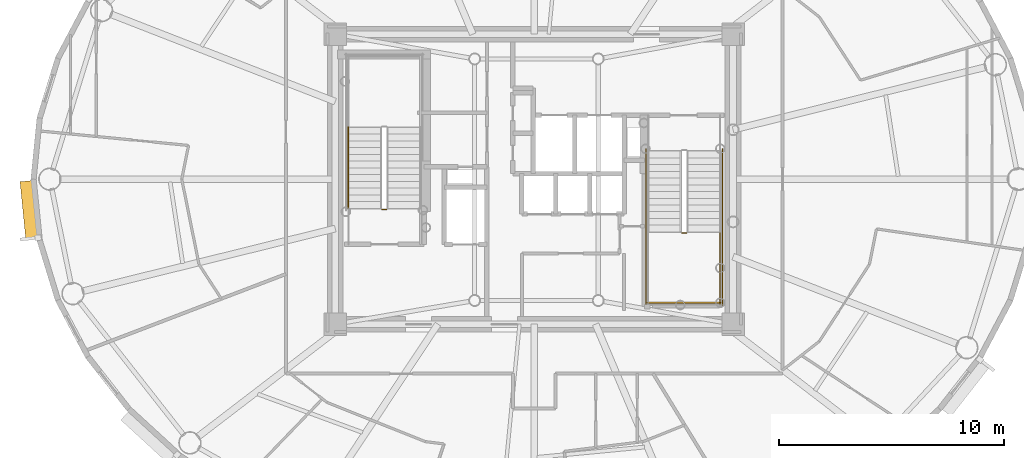
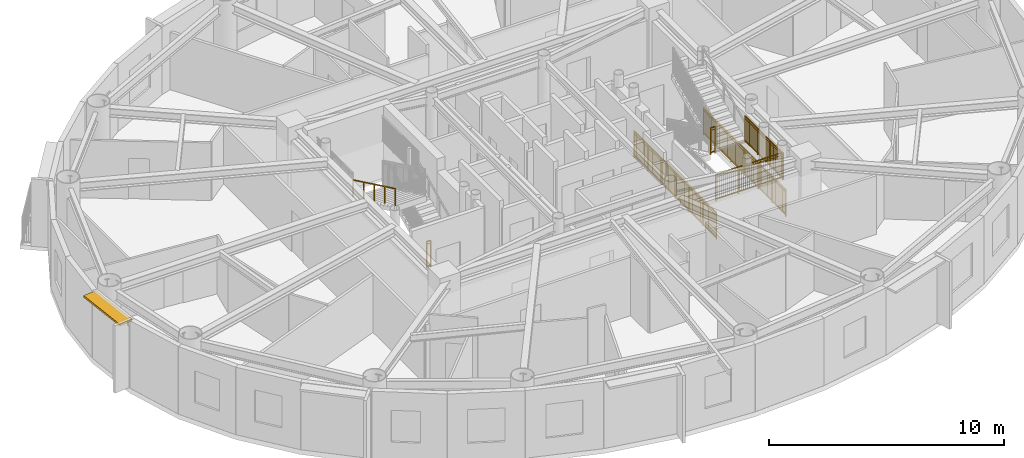
# One storey, part 12 of 17: 7 railings, 1 shading device.
"""IFC4 building model written with IfcOpenShell, lengths in metres."""

from ifc_helpers import new_model, si_unit, direction, frame, origin, origin_2d, place, context, subcontext, project, spatial, rectangle, extrude, source, transform, mapped, material, layer, layer_set, type_object, element, save


model = new_model("IFC4")

# Units and contexts
model_context = context("Model", 3, precision=1e-05, world=origin(), true_north=direction((0.0, 1.0)))
body_context = subcontext(model_context, "Body", "Model", "MODEL_VIEW")
ifc_project = project(units=[si_unit("LENGTHUNIT", "METRE"), si_unit("AREAUNIT", "SQUARE_METRE"), si_unit("VOLUMEUNIT", "CUBIC_METRE"), si_unit("PLANEANGLEUNIT", "RADIAN"), si_unit("MASSUNIT", "GRAM", prefix="KILO")], contexts=[model_context])

# Site, building, storey
site_placement = place(None, origin())
site = spatial("IfcSite", under=ifc_project, at=site_placement, CompositionType="ELEMENT")
building_placement = place(site_placement, origin())
building = spatial("IfcBuilding", under=site, at=building_placement, Name="Linh Dai School and Residence Tower", CompositionType="ELEMENT")
storey_placement = place(building_placement, frame((0.0, 0.0, 284.25)))
storey = spatial("IfcBuildingStorey", under=building, at=storey_placement, Name="L70", CompositionType="ELEMENT", Elevation=284.25)

# Shading device
ifc_material_1 = material(Name="Terracotta Ceramic Sunshade", Category="masonry")
ifc_layer = layer(ifc_material_1, 0.10009765625)
ifc_layer_set = layer_set([ifc_layer], Name="Terracotta Ceramic Sunshade")
shading_device_type = type_object("IfcShadingDeviceType", Name="SHD-TC-650", PredefinedType="USERDEFINED", material=ifc_layer_set)
shared_shape_1 = source(origin(), body_context, "Body", "SweptSolid", [
    extrude(rectangle(XDim=2.62353515625, YDim=0.64990234375, at=origin_2d()), origin(), (0.0, 0.0, 1.0), 0.10009765625),
])
shading_device_placement = place(storey_placement, frame((13.578125, 25.612060546875, 3.3798828125), z_axis=(0.0, 0.0, 1.0), x_axis=(-0.100008034283, 0.994986629598, 0.0)))
element("IfcShadingDevice", 1, at=shading_device_placement, inside=storey, type_object=shading_device_type, Name="L70 Terracotta Horizontal Sunshade Band 21", ObjectType="SUNSHADE", PredefinedType="USERDEFINED", context=body_context, shape_type="MappedRepresentation", body=[
    mapped(shared_shape_1, transform((0.0, 0.0, 0.0), x_axis=(1.0, 0.0, 0.0), y_axis=(0.0, 1.0, 0.0), z_axis=(0.0, 0.0, 1.0), scale=1.0)),
])

# Railings
ifc_material_2 = material(Name="Structural Steel S355JR", Category="steel")
railing_type_1 = type_object("IfcRailingType", Name="RL-ST-GUARD-1400", PredefinedType="GUARDRAIL", material=ifc_material_2)
shared_shape_2 = source(origin(), body_context, "Body", "SweptSolid", [
    extrude(rectangle(XDim=0.048095703125, YDim=0.048095703125, at=origin_2d()), frame((0.0, 0.0, 1.3759765625), z_axis=(-1.0, 0.0, 0.0), x_axis=(0.0, -1.0, 0.0)), (0.0, 0.0, 1.0), 0.199951171875),
    extrude(rectangle(XDim=0.048095703125, YDim=0.048095703125, at=origin_2d()), frame((0.0, 0.0, 0.10009765625), z_axis=(-1.0, 0.0, 0.0), x_axis=(0.0, -1.0, 0.0)), (0.0, 0.0, 1.0), 0.199951171875),
    extrude(rectangle(XDim=0.030029296875, YDim=0.030029296875, at=origin_2d()), frame((0.0, 0.0, 1.239990234375), z_axis=(-1.0, 0.0, 0.0), x_axis=(0.0, -1.0, 0.0)), (0.0, 0.0, 1.0), 0.199951171875),
    extrude(rectangle(XDim=0.0419921875, YDim=0.0419921875, at=origin_2d()), origin(), (0.0, 0.0, 1.0), 1.3759765625),
    extrude(rectangle(XDim=0.0419921875, YDim=0.0419921875, at=origin_2d()), frame((-0.199951171875, 0.0, 0.0)), (0.0, 0.0, 1.0), 1.3759765625),
])
railing_1_placement = place(storey_placement, frame((29.429931640625, 25.64990234375, 0.0)))
element("IfcRailing", 2, at=railing_1_placement, inside=storey, type_object=railing_type_1, Name="L70 ST1 stair guard 7", PredefinedType="GUARDRAIL", context=body_context, shape_type="MappedRepresentation", body=[
    mapped(shared_shape_2, transform((0.0, 0.0, 0.0), x_axis=(1.0, 0.0, 0.0), y_axis=(0.0, 1.0, 0.0), z_axis=(0.0, 0.0, 1.0), scale=1.0)),
])
ifc_material_3 = material(Name="Brushed Stainless Steel Handrail", Category="steel")
railing_type_2 = type_object("IfcRailingType", Name="RL-ST-HANDRAIL-900", PredefinedType="HANDRAIL", material=ifc_material_3)
shared_shape_3 = source(origin(), body_context, "Body", "SweptSolid", [
    extrude(rectangle(XDim=0.048095703125, YDim=0.048095703125, at=origin_2d()), frame((0.0, 0.0, 0.8759765625), z_axis=(0.0, -0.901262522062, 0.433273431364), x_axis=(1.0, 0.0, 0.0)), (0.0, 0.0, 1.0), 3.994384765625),
    extrude(rectangle(XDim=0.0419921875, YDim=0.0419921875, at=origin_2d()), origin(), (0.0, 0.0, 1.0), 0.8759765625),
    extrude(rectangle(XDim=0.0419921875, YDim=0.0419921875, at=origin_2d()), frame((0.0, -0.89990234375, 0.4326171875)), (0.0, 0.0, 1.0), 0.8759765625),
    extrude(rectangle(XDim=0.0419921875, YDim=0.0419921875, at=origin_2d()), frame((0.0, -1.800048828125, 0.865234375)), (0.0, 0.0, 1.0), 0.8759765625),
    extrude(rectangle(XDim=0.0419921875, YDim=0.0419921875, at=origin_2d()), frame((0.0, -2.7001953125, 1.298095703125)), (0.0, 0.0, 1.0), 0.8759765625),
    extrude(rectangle(XDim=0.0419921875, YDim=0.0419921875, at=origin_2d()), frame((0.0, -3.60009765625, 1.730712890625)), (0.0, 0.0, 1.0), 0.8759765625),
])
railing_2_placement = place(storey_placement, frame((27.72998046875, 29.300048828125, 2.019287109375)))
element("IfcRailing", 3, at=railing_2_placement, inside=storey, type_object=railing_type_2, Name="L70 ST1 stair handrail 2", PredefinedType="HANDRAIL", context=body_context, shape_type="MappedRepresentation", body=[
    mapped(shared_shape_3, transform((0.0, 0.0, 0.0), x_axis=(1.0, 0.0, 0.0), y_axis=(0.0, 1.0, 0.0), z_axis=(0.0, 0.0, 1.0), scale=1.0)),
])
shared_shape_4 = source(origin(), body_context, "Body", "SweptSolid", [
    extrude(rectangle(XDim=0.048095703125, YDim=0.048095703125, at=origin_2d()), frame((0.0, 0.0, 1.3759765625), z_axis=(1.0, 0.0, 0.0), x_axis=(0.0, 1.0, 0.0)), (0.0, 0.0, 1.0), 0.199951171875),
    extrude(rectangle(XDim=0.048095703125, YDim=0.048095703125, at=origin_2d()), frame((0.0, 0.0, 0.10009765625), z_axis=(1.0, 0.0, 0.0), x_axis=(0.0, 1.0, 0.0)), (0.0, 0.0, 1.0), 0.199951171875),
    extrude(rectangle(XDim=0.030029296875, YDim=0.030029296875, at=origin_2d()), frame((0.0, 0.0, 1.239990234375), z_axis=(1.0, 0.0, 0.0), x_axis=(0.0, 1.0, 0.0)), (0.0, 0.0, 1.0), 0.199951171875),
    extrude(rectangle(XDim=0.0419921875, YDim=0.0419921875, at=origin_2d()), origin(), (0.0, 0.0, 1.0), 1.3759765625),
    extrude(rectangle(XDim=0.0419921875, YDim=0.0419921875, at=origin_2d()), frame((0.199951171875, 0.0, 0.0)), (0.0, 0.0, 1.0), 1.3759765625),
])
railing_3_placement = place(storey_placement, frame((42.570068359375, 24.60009765625, 1.875)))
element("IfcRailing", 4, at=railing_3_placement, inside=storey, type_object=railing_type_1, Name="L70 ST2 stair guard 2", PredefinedType="GUARDRAIL", context=body_context, shape_type="MappedRepresentation", body=[
    mapped(shared_shape_4, transform((0.0, 0.0, 0.0), x_axis=(1.0, 0.0, 0.0), y_axis=(0.0, 1.0, 0.0), z_axis=(0.0, 0.0, 1.0), scale=1.0)),
])
shared_shape_5 = source(origin(), body_context, "Body", "SweptSolid", [
    extrude(rectangle(XDim=0.048095703125, YDim=0.048095703125, at=origin_2d()), frame((0.0, 0.0, 1.3759765625), z_axis=(1.0, 0.0, 0.0), x_axis=(0.0, 1.0, 0.0)), (0.0, 0.0, 1.0), 3.300048828125),
    extrude(rectangle(XDim=0.048095703125, YDim=0.048095703125, at=origin_2d()), frame((0.0, 0.0, 0.10009765625), z_axis=(1.0, 0.0, 0.0), x_axis=(0.0, 1.0, 0.0)), (0.0, 0.0, 1.0), 3.300048828125),
    extrude(rectangle(XDim=0.030029296875, YDim=0.030029296875, at=origin_2d()), frame((0.0, 0.0, 1.239990234375), z_axis=(1.0, 0.0, 0.0), x_axis=(0.0, 1.0, 0.0)), (0.0, 0.0, 1.0), 3.300048828125),
    extrude(rectangle(XDim=0.02001953125, YDim=0.02001953125, at=origin_2d()), frame((0.09716796875, 0.0, 0.10009765625)), (0.0, 0.0, 1.0), 1.251708984375),
    extrude(rectangle(XDim=0.02001953125, YDim=0.02001953125, at=origin_2d()), frame((0.194091796875, 0.0, 0.10009765625)), (0.0, 0.0, 1.0), 1.251708984375),
    extrude(rectangle(XDim=0.02001953125, YDim=0.02001953125, at=origin_2d()), frame((0.291259765625, 0.0, 0.10009765625)), (0.0, 0.0, 1.0), 1.251708984375),
    extrude(rectangle(XDim=0.02001953125, YDim=0.02001953125, at=origin_2d()), frame((0.38818359375, 0.0, 0.10009765625)), (0.0, 0.0, 1.0), 1.251708984375),
    extrude(rectangle(XDim=0.02001953125, YDim=0.02001953125, at=origin_2d()), frame((0.4853515625, 0.0, 0.10009765625)), (0.0, 0.0, 1.0), 1.251708984375),
    extrude(rectangle(XDim=0.02001953125, YDim=0.02001953125, at=origin_2d()), frame((0.582275390625, 0.0, 0.10009765625)), (0.0, 0.0, 1.0), 1.251708984375),
    extrude(rectangle(XDim=0.02001953125, YDim=0.02001953125, at=origin_2d()), frame((0.679443359375, 0.0, 0.10009765625)), (0.0, 0.0, 1.0), 1.251708984375),
    extrude(rectangle(XDim=0.02001953125, YDim=0.02001953125, at=origin_2d()), frame((0.7763671875, 0.0, 0.10009765625)), (0.0, 0.0, 1.0), 1.251708984375),
    extrude(rectangle(XDim=0.02001953125, YDim=0.02001953125, at=origin_2d()), frame((0.87353515625, 0.0, 0.10009765625)), (0.0, 0.0, 1.0), 1.251708984375),
    extrude(rectangle(XDim=0.02001953125, YDim=0.02001953125, at=origin_2d()), frame((0.970703125, 0.0, 0.10009765625)), (0.0, 0.0, 1.0), 1.251708984375),
    extrude(rectangle(XDim=0.02001953125, YDim=0.02001953125, at=origin_2d()), frame((1.164794921875, 0.0, 0.10009765625)), (0.0, 0.0, 1.0), 1.251708984375),
    extrude(rectangle(XDim=0.02001953125, YDim=0.02001953125, at=origin_2d()), frame((1.26171875, 0.0, 0.10009765625)), (0.0, 0.0, 1.0), 1.251708984375),
    extrude(rectangle(XDim=0.02001953125, YDim=0.02001953125, at=origin_2d()), frame((1.35888671875, 0.0, 0.10009765625)), (0.0, 0.0, 1.0), 1.251708984375),
    extrude(rectangle(XDim=0.02001953125, YDim=0.02001953125, at=origin_2d()), frame((1.455810546875, 0.0, 0.10009765625)), (0.0, 0.0, 1.0), 1.251708984375),
    extrude(rectangle(XDim=0.02001953125, YDim=0.02001953125, at=origin_2d()), frame((1.552978515625, 0.0, 0.10009765625)), (0.0, 0.0, 1.0), 1.251708984375),
    extrude(rectangle(XDim=0.02001953125, YDim=0.02001953125, at=origin_2d()), frame((1.64990234375, 0.0, 0.10009765625)), (0.0, 0.0, 1.0), 1.251708984375),
    extrude(rectangle(XDim=0.02001953125, YDim=0.02001953125, at=origin_2d()), frame((1.7470703125, 0.0, 0.10009765625)), (0.0, 0.0, 1.0), 1.251708984375),
    extrude(rectangle(XDim=0.02001953125, YDim=0.02001953125, at=origin_2d()), frame((1.84423828125, 0.0, 0.10009765625)), (0.0, 0.0, 1.0), 1.251708984375),
    extrude(rectangle(XDim=0.02001953125, YDim=0.02001953125, at=origin_2d()), frame((1.941162109375, 0.0, 0.10009765625)), (0.0, 0.0, 1.0), 1.251708984375),
    extrude(rectangle(XDim=0.02001953125, YDim=0.02001953125, at=origin_2d()), frame((2.038330078125, 0.0, 0.10009765625)), (0.0, 0.0, 1.0), 1.251708984375),
    extrude(rectangle(XDim=0.02001953125, YDim=0.02001953125, at=origin_2d()), frame((2.13525390625, 0.0, 0.10009765625)), (0.0, 0.0, 1.0), 1.251708984375),
    extrude(rectangle(XDim=0.02001953125, YDim=0.02001953125, at=origin_2d()), frame((2.329345703125, 0.0, 0.10009765625)), (0.0, 0.0, 1.0), 1.251708984375),
    extrude(rectangle(XDim=0.02001953125, YDim=0.02001953125, at=origin_2d()), frame((2.426513671875, 0.0, 0.10009765625)), (0.0, 0.0, 1.0), 1.251708984375),
    extrude(rectangle(XDim=0.02001953125, YDim=0.02001953125, at=origin_2d()), frame((2.523681640625, 0.0, 0.10009765625)), (0.0, 0.0, 1.0), 1.251708984375),
    extrude(rectangle(XDim=0.02001953125, YDim=0.02001953125, at=origin_2d()), frame((2.62060546875, 0.0, 0.10009765625)), (0.0, 0.0, 1.0), 1.251708984375),
    extrude(rectangle(XDim=0.02001953125, YDim=0.02001953125, at=origin_2d()), frame((2.7177734375, 0.0, 0.10009765625)), (0.0, 0.0, 1.0), 1.251708984375),
    extrude(rectangle(XDim=0.02001953125, YDim=0.02001953125, at=origin_2d()), frame((2.814697265625, 0.0, 0.10009765625)), (0.0, 0.0, 1.0), 1.251708984375),
    extrude(rectangle(XDim=0.02001953125, YDim=0.02001953125, at=origin_2d()), frame((2.911865234375, 0.0, 0.10009765625)), (0.0, 0.0, 1.0), 1.251708984375),
    extrude(rectangle(XDim=0.02001953125, YDim=0.02001953125, at=origin_2d()), frame((3.0087890625, 0.0, 0.10009765625)), (0.0, 0.0, 1.0), 1.251708984375),
    extrude(rectangle(XDim=0.02001953125, YDim=0.02001953125, at=origin_2d()), frame((3.10595703125, 0.0, 0.10009765625)), (0.0, 0.0, 1.0), 1.251708984375),
    extrude(rectangle(XDim=0.02001953125, YDim=0.02001953125, at=origin_2d()), frame((3.202880859375, 0.0, 0.10009765625)), (0.0, 0.0, 1.0), 1.251708984375),
    extrude(rectangle(XDim=0.0419921875, YDim=0.0419921875, at=origin_2d()), origin(), (0.0, 0.0, 1.0), 1.3759765625),
    extrude(rectangle(XDim=0.0419921875, YDim=0.0419921875, at=origin_2d()), frame((1.10009765625, 0.0, 0.0)), (0.0, 0.0, 1.0), 1.3759765625),
    extrude(rectangle(XDim=0.0419921875, YDim=0.0419921875, at=origin_2d()), frame((2.199951171875, 0.0, 0.0)), (0.0, 0.0, 1.0), 1.3759765625),
    extrude(rectangle(XDim=0.0419921875, YDim=0.0419921875, at=origin_2d()), frame((3.300048828125, 0.0, 0.0)), (0.0, 0.0, 1.0), 1.3759765625),
])
railing_4_placement = place(storey_placement, frame((41.02001953125, 21.5, 1.875)))
element("IfcRailing", 5, at=railing_4_placement, inside=storey, type_object=railing_type_1, Name="L70 ST2 stair guard 5", PredefinedType="GUARDRAIL", context=body_context, shape_type="MappedRepresentation", body=[
    mapped(shared_shape_5, transform((0.0, 0.0, 0.0), x_axis=(1.0, 0.0, 0.0), y_axis=(0.0, 1.0, 0.0), z_axis=(0.0, 0.0, 1.0), scale=1.0)),
])
shared_shape_6 = source(origin(), body_context, "Body", "SweptSolid", [
    extrude(rectangle(XDim=0.048095703125, YDim=0.048095703125, at=origin_2d()), frame((0.0, 0.0, 1.3759765625), z_axis=(0.0, -1.0, 0.0), x_axis=(1.0, 0.0, 0.0)), (0.0, 0.0, 1.0), 7.0),
    extrude(rectangle(XDim=0.048095703125, YDim=0.048095703125, at=origin_2d()), frame((0.0, 0.0, 0.10009765625), z_axis=(0.0, -1.0, 0.0), x_axis=(1.0, 0.0, 0.0)), (0.0, 0.0, 1.0), 7.0),
    extrude(rectangle(XDim=0.030029296875, YDim=0.030029296875, at=origin_2d()), frame((0.0, 0.0, 1.239990234375), z_axis=(0.0, -1.0, 0.0), x_axis=(1.0, 0.0, 0.0)), (0.0, 0.0, 1.0), 7.0),
    extrude(rectangle(XDim=0.02001953125, YDim=0.02001953125, at=origin_2d()), frame((0.0, -0.09716796875, 0.10009765625)), (0.0, 0.0, 1.0), 1.251708984375),
    extrude(rectangle(XDim=0.02001953125, YDim=0.02001953125, at=origin_2d()), frame((0.0, -0.1943359375, 0.10009765625)), (0.0, 0.0, 1.0), 1.251708984375),
    extrude(rectangle(XDim=0.02001953125, YDim=0.02001953125, at=origin_2d()), frame((0.0, -0.291748046875, 0.10009765625)), (0.0, 0.0, 1.0), 1.251708984375),
    extrude(rectangle(XDim=0.02001953125, YDim=0.02001953125, at=origin_2d()), frame((0.0, -0.388916015625, 0.10009765625)), (0.0, 0.0, 1.0), 1.251708984375),
    extrude(rectangle(XDim=0.02001953125, YDim=0.02001953125, at=origin_2d()), frame((0.0, -0.486083984375, 0.10009765625)), (0.0, 0.0, 1.0), 1.251708984375),
    extrude(rectangle(XDim=0.02001953125, YDim=0.02001953125, at=origin_2d()), frame((0.0, -0.583251953125, 0.10009765625)), (0.0, 0.0, 1.0), 1.251708984375),
    extrude(rectangle(XDim=0.02001953125, YDim=0.02001953125, at=origin_2d()), frame((0.0, -0.6806640625, 0.10009765625)), (0.0, 0.0, 1.0), 1.251708984375),
    extrude(rectangle(XDim=0.02001953125, YDim=0.02001953125, at=origin_2d()), frame((0.0, -0.77783203125, 0.10009765625)), (0.0, 0.0, 1.0), 1.251708984375),
    extrude(rectangle(XDim=0.02001953125, YDim=0.02001953125, at=origin_2d()), frame((0.0, -0.875, 0.10009765625)), (0.0, 0.0, 1.0), 1.251708984375),
    extrude(rectangle(XDim=0.02001953125, YDim=0.02001953125, at=origin_2d()), frame((0.0, -0.97216796875, 0.10009765625)), (0.0, 0.0, 1.0), 1.251708984375),
    extrude(rectangle(XDim=0.02001953125, YDim=0.02001953125, at=origin_2d()), frame((0.0, -1.0693359375, 0.10009765625)), (0.0, 0.0, 1.0), 1.251708984375),
    extrude(rectangle(XDim=0.02001953125, YDim=0.02001953125, at=origin_2d()), frame((0.0, -1.263916015625, 0.10009765625)), (0.0, 0.0, 1.0), 1.251708984375),
    extrude(rectangle(XDim=0.02001953125, YDim=0.02001953125, at=origin_2d()), frame((0.0, -1.361083984375, 0.10009765625)), (0.0, 0.0, 1.0), 1.251708984375),
    extrude(rectangle(XDim=0.02001953125, YDim=0.02001953125, at=origin_2d()), frame((0.0, -1.458251953125, 0.10009765625)), (0.0, 0.0, 1.0), 1.251708984375),
    extrude(rectangle(XDim=0.02001953125, YDim=0.02001953125, at=origin_2d()), frame((0.0, -1.5556640625, 0.10009765625)), (0.0, 0.0, 1.0), 1.251708984375),
    extrude(rectangle(XDim=0.02001953125, YDim=0.02001953125, at=origin_2d()), frame((0.0, -1.65283203125, 0.10009765625)), (0.0, 0.0, 1.0), 1.251708984375),
    extrude(rectangle(XDim=0.02001953125, YDim=0.02001953125, at=origin_2d()), frame((0.0, -1.75, 0.10009765625)), (0.0, 0.0, 1.0), 1.251708984375),
    extrude(rectangle(XDim=0.02001953125, YDim=0.02001953125, at=origin_2d()), frame((0.0, -1.84716796875, 0.10009765625)), (0.0, 0.0, 1.0), 1.251708984375),
    extrude(rectangle(XDim=0.02001953125, YDim=0.02001953125, at=origin_2d()), frame((0.0, -1.9443359375, 0.10009765625)), (0.0, 0.0, 1.0), 1.251708984375),
    extrude(rectangle(XDim=0.02001953125, YDim=0.02001953125, at=origin_2d()), frame((0.0, -2.041748046875, 0.10009765625)), (0.0, 0.0, 1.0), 1.251708984375),
    extrude(rectangle(XDim=0.02001953125, YDim=0.02001953125, at=origin_2d()), frame((0.0, -2.138916015625, 0.10009765625)), (0.0, 0.0, 1.0), 1.251708984375),
    extrude(rectangle(XDim=0.02001953125, YDim=0.02001953125, at=origin_2d()), frame((0.0, -2.236083984375, 0.10009765625)), (0.0, 0.0, 1.0), 1.251708984375),
    extrude(rectangle(XDim=0.02001953125, YDim=0.02001953125, at=origin_2d()), frame((0.0, -2.4306640625, 0.10009765625)), (0.0, 0.0, 1.0), 1.251708984375),
    extrude(rectangle(XDim=0.02001953125, YDim=0.02001953125, at=origin_2d()), frame((0.0, -2.52783203125, 0.10009765625)), (0.0, 0.0, 1.0), 1.251708984375),
    extrude(rectangle(XDim=0.02001953125, YDim=0.02001953125, at=origin_2d()), frame((0.0, -2.625, 0.10009765625)), (0.0, 0.0, 1.0), 1.251708984375),
    extrude(rectangle(XDim=0.02001953125, YDim=0.02001953125, at=origin_2d()), frame((0.0, -2.72216796875, 0.10009765625)), (0.0, 0.0, 1.0), 1.251708984375),
    extrude(rectangle(XDim=0.02001953125, YDim=0.02001953125, at=origin_2d()), frame((0.0, -2.8193359375, 0.10009765625)), (0.0, 0.0, 1.0), 1.251708984375),
    extrude(rectangle(XDim=0.02001953125, YDim=0.02001953125, at=origin_2d()), frame((0.0, -2.916748046875, 0.10009765625)), (0.0, 0.0, 1.0), 1.251708984375),
    extrude(rectangle(XDim=0.02001953125, YDim=0.02001953125, at=origin_2d()), frame((0.0, -3.013916015625, 0.10009765625)), (0.0, 0.0, 1.0), 1.251708984375),
    extrude(rectangle(XDim=0.02001953125, YDim=0.02001953125, at=origin_2d()), frame((0.0, -3.111083984375, 0.10009765625)), (0.0, 0.0, 1.0), 1.251708984375),
    extrude(rectangle(XDim=0.02001953125, YDim=0.02001953125, at=origin_2d()), frame((0.0, -3.208251953125, 0.10009765625)), (0.0, 0.0, 1.0), 1.251708984375),
    extrude(rectangle(XDim=0.02001953125, YDim=0.02001953125, at=origin_2d()), frame((0.0, -3.3056640625, 0.10009765625)), (0.0, 0.0, 1.0), 1.251708984375),
    extrude(rectangle(XDim=0.02001953125, YDim=0.02001953125, at=origin_2d()), frame((0.0, -3.40283203125, 0.10009765625)), (0.0, 0.0, 1.0), 1.251708984375),
    extrude(rectangle(XDim=0.02001953125, YDim=0.02001953125, at=origin_2d()), frame((0.0, -3.59716796875, 0.10009765625)), (0.0, 0.0, 1.0), 1.251708984375),
    extrude(rectangle(XDim=0.02001953125, YDim=0.02001953125, at=origin_2d()), frame((0.0, -3.6943359375, 0.10009765625)), (0.0, 0.0, 1.0), 1.251708984375),
    extrude(rectangle(XDim=0.02001953125, YDim=0.02001953125, at=origin_2d()), frame((0.0, -3.791748046875, 0.10009765625)), (0.0, 0.0, 1.0), 1.251708984375),
    extrude(rectangle(XDim=0.02001953125, YDim=0.02001953125, at=origin_2d()), frame((0.0, -3.888916015625, 0.10009765625)), (0.0, 0.0, 1.0), 1.251708984375),
    extrude(rectangle(XDim=0.02001953125, YDim=0.02001953125, at=origin_2d()), frame((0.0, -3.986083984375, 0.10009765625)), (0.0, 0.0, 1.0), 1.251708984375),
    extrude(rectangle(XDim=0.02001953125, YDim=0.02001953125, at=origin_2d()), frame((0.0, -4.083251953125, 0.10009765625)), (0.0, 0.0, 1.0), 1.251708984375),
    extrude(rectangle(XDim=0.02001953125, YDim=0.02001953125, at=origin_2d()), frame((0.0, -4.1806640625, 0.10009765625)), (0.0, 0.0, 1.0), 1.251708984375),
    extrude(rectangle(XDim=0.02001953125, YDim=0.02001953125, at=origin_2d()), frame((0.0, -4.27783203125, 0.10009765625)), (0.0, 0.0, 1.0), 1.251708984375),
    extrude(rectangle(XDim=0.02001953125, YDim=0.02001953125, at=origin_2d()), frame((0.0, -4.375, 0.10009765625)), (0.0, 0.0, 1.0), 1.251708984375),
    extrude(rectangle(XDim=0.02001953125, YDim=0.02001953125, at=origin_2d()), frame((0.0, -4.47216796875, 0.10009765625)), (0.0, 0.0, 1.0), 1.251708984375),
    extrude(rectangle(XDim=0.02001953125, YDim=0.02001953125, at=origin_2d()), frame((0.0, -4.5693359375, 0.10009765625)), (0.0, 0.0, 1.0), 1.251708984375),
    extrude(rectangle(XDim=0.02001953125, YDim=0.02001953125, at=origin_2d()), frame((0.0, -4.763916015625, 0.10009765625)), (0.0, 0.0, 1.0), 1.251708984375),
    extrude(rectangle(XDim=0.02001953125, YDim=0.02001953125, at=origin_2d()), frame((0.0, -4.861083984375, 0.10009765625)), (0.0, 0.0, 1.0), 1.251708984375),
    extrude(rectangle(XDim=0.02001953125, YDim=0.02001953125, at=origin_2d()), frame((0.0, -4.958251953125, 0.10009765625)), (0.0, 0.0, 1.0), 1.251708984375),
    extrude(rectangle(XDim=0.02001953125, YDim=0.02001953125, at=origin_2d()), frame((0.0, -5.0556640625, 0.10009765625)), (0.0, 0.0, 1.0), 1.251708984375),
    extrude(rectangle(XDim=0.02001953125, YDim=0.02001953125, at=origin_2d()), frame((0.0, -5.15283203125, 0.10009765625)), (0.0, 0.0, 1.0), 1.251708984375),
    extrude(rectangle(XDim=0.02001953125, YDim=0.02001953125, at=origin_2d()), frame((0.0, -5.25, 0.10009765625)), (0.0, 0.0, 1.0), 1.251708984375),
    extrude(rectangle(XDim=0.02001953125, YDim=0.02001953125, at=origin_2d()), frame((0.0, -5.34716796875, 0.10009765625)), (0.0, 0.0, 1.0), 1.251708984375),
    extrude(rectangle(XDim=0.02001953125, YDim=0.02001953125, at=origin_2d()), frame((0.0, -5.4443359375, 0.10009765625)), (0.0, 0.0, 1.0), 1.251708984375),
    extrude(rectangle(XDim=0.02001953125, YDim=0.02001953125, at=origin_2d()), frame((0.0, -5.541748046875, 0.10009765625)), (0.0, 0.0, 1.0), 1.251708984375),
    extrude(rectangle(XDim=0.02001953125, YDim=0.02001953125, at=origin_2d()), frame((0.0, -5.638916015625, 0.10009765625)), (0.0, 0.0, 1.0), 1.251708984375),
    extrude(rectangle(XDim=0.02001953125, YDim=0.02001953125, at=origin_2d()), frame((0.0, -5.736083984375, 0.10009765625)), (0.0, 0.0, 1.0), 1.251708984375),
    extrude(rectangle(XDim=0.02001953125, YDim=0.02001953125, at=origin_2d()), frame((0.0, -5.9306640625, 0.10009765625)), (0.0, 0.0, 1.0), 1.251708984375),
    extrude(rectangle(XDim=0.02001953125, YDim=0.02001953125, at=origin_2d()), frame((0.0, -6.02783203125, 0.10009765625)), (0.0, 0.0, 1.0), 1.251708984375),
    extrude(rectangle(XDim=0.02001953125, YDim=0.02001953125, at=origin_2d()), frame((0.0, -6.125, 0.10009765625)), (0.0, 0.0, 1.0), 1.251708984375),
    extrude(rectangle(XDim=0.02001953125, YDim=0.02001953125, at=origin_2d()), frame((0.0, -6.22216796875, 0.10009765625)), (0.0, 0.0, 1.0), 1.251708984375),
    extrude(rectangle(XDim=0.02001953125, YDim=0.02001953125, at=origin_2d()), frame((0.0, -6.3193359375, 0.10009765625)), (0.0, 0.0, 1.0), 1.251708984375),
    extrude(rectangle(XDim=0.02001953125, YDim=0.02001953125, at=origin_2d()), frame((0.0, -6.416748046875, 0.10009765625)), (0.0, 0.0, 1.0), 1.251708984375),
    extrude(rectangle(XDim=0.02001953125, YDim=0.02001953125, at=origin_2d()), frame((0.0, -6.513916015625, 0.10009765625)), (0.0, 0.0, 1.0), 1.251708984375),
    extrude(rectangle(XDim=0.02001953125, YDim=0.02001953125, at=origin_2d()), frame((0.0, -6.611083984375, 0.10009765625)), (0.0, 0.0, 1.0), 1.251708984375),
    extrude(rectangle(XDim=0.02001953125, YDim=0.02001953125, at=origin_2d()), frame((0.0, -6.708251953125, 0.10009765625)), (0.0, 0.0, 1.0), 1.251708984375),
    extrude(rectangle(XDim=0.02001953125, YDim=0.02001953125, at=origin_2d()), frame((0.0, -6.8056640625, 0.10009765625)), (0.0, 0.0, 1.0), 1.251708984375),
    extrude(rectangle(XDim=0.02001953125, YDim=0.02001953125, at=origin_2d()), frame((0.0, -6.90283203125, 0.10009765625)), (0.0, 0.0, 1.0), 1.251708984375),
    extrude(rectangle(XDim=0.0419921875, YDim=0.0419921875, at=origin_2d()), origin(), (0.0, 0.0, 1.0), 1.3759765625),
    extrude(rectangle(XDim=0.0419921875, YDim=0.0419921875, at=origin_2d()), frame((0.0, -1.166748046875, 0.0)), (0.0, 0.0, 1.0), 1.3759765625),
    extrude(rectangle(XDim=0.0419921875, YDim=0.0419921875, at=origin_2d()), frame((0.0, -2.333251953125, 0.0)), (0.0, 0.0, 1.0), 1.3759765625),
    extrude(rectangle(XDim=0.0419921875, YDim=0.0419921875, at=origin_2d()), frame((0.0, -3.5, 0.0)), (0.0, 0.0, 1.0), 1.3759765625),
    extrude(rectangle(XDim=0.0419921875, YDim=0.0419921875, at=origin_2d()), frame((0.0, -4.666748046875, 0.0)), (0.0, 0.0, 1.0), 1.3759765625),
    extrude(rectangle(XDim=0.0419921875, YDim=0.0419921875, at=origin_2d()), frame((0.0, -5.833251953125, 0.0)), (0.0, 0.0, 1.0), 1.3759765625),
    extrude(rectangle(XDim=0.0419921875, YDim=0.0419921875, at=origin_2d()), frame((0.0, -7.0, 0.0)), (0.0, 0.0, 1.0), 1.3759765625),
])
for number, where, name in (
    (6, (40.969970703125, 28.35009765625, 0.0), "L70 ST2 stair guard 10"),
    (7, (44.3701171875, 28.35009765625, 0.0), "L70 ST2 stair guard 11"),
):
    element("IfcRailing", number, at=place(storey_placement, frame(where)), inside=storey, type_object=railing_type_1, Name=name, PredefinedType="GUARDRAIL", context=body_context, shape_type="MappedRepresentation", body=[
        mapped(shared_shape_6, transform((0.0, 0.0, 0.0), x_axis=(1.0, 0.0, 0.0), y_axis=(0.0, 1.0, 0.0), z_axis=(0.0, 0.0, 1.0), scale=1.0)),
    ])
shared_shape_7 = source(origin(), body_context, "Body", "SweptSolid", [
    extrude(rectangle(XDim=0.048095703125, YDim=0.048095703125, at=origin_2d()), frame((0.0, 0.0, 1.3759765625), z_axis=(0.0, -1.0, 0.0), x_axis=(1.0, 0.0, 0.0)), (0.0, 0.0, 1.0), 3.199951171875),
    extrude(rectangle(XDim=0.048095703125, YDim=0.048095703125, at=origin_2d()), frame((0.0, 0.0, 0.10009765625), z_axis=(0.0, -1.0, 0.0), x_axis=(1.0, 0.0, 0.0)), (0.0, 0.0, 1.0), 3.199951171875),
    extrude(rectangle(XDim=0.030029296875, YDim=0.030029296875, at=origin_2d()), frame((0.0, 0.0, 1.239990234375), z_axis=(0.0, -1.0, 0.0), x_axis=(1.0, 0.0, 0.0)), (0.0, 0.0, 1.0), 3.199951171875),
    extrude(rectangle(XDim=0.02001953125, YDim=0.02001953125, at=origin_2d()), frame((0.0, -0.096923828125, 0.10009765625)), (0.0, 0.0, 1.0), 1.251708984375),
    extrude(rectangle(XDim=0.02001953125, YDim=0.02001953125, at=origin_2d()), frame((0.0, -0.19384765625, 0.10009765625)), (0.0, 0.0, 1.0), 1.251708984375),
    extrude(rectangle(XDim=0.02001953125, YDim=0.02001953125, at=origin_2d()), frame((0.0, -0.291015625, 0.10009765625)), (0.0, 0.0, 1.0), 1.251708984375),
    extrude(rectangle(XDim=0.02001953125, YDim=0.02001953125, at=origin_2d()), frame((0.0, -0.387939453125, 0.10009765625)), (0.0, 0.0, 1.0), 1.251708984375),
    extrude(rectangle(XDim=0.02001953125, YDim=0.02001953125, at=origin_2d()), frame((0.0, -0.48486328125, 0.10009765625)), (0.0, 0.0, 1.0), 1.251708984375),
    extrude(rectangle(XDim=0.02001953125, YDim=0.02001953125, at=origin_2d()), frame((0.0, -0.581787109375, 0.10009765625)), (0.0, 0.0, 1.0), 1.251708984375),
    extrude(rectangle(XDim=0.02001953125, YDim=0.02001953125, at=origin_2d()), frame((0.0, -0.6787109375, 0.10009765625)), (0.0, 0.0, 1.0), 1.251708984375),
    extrude(rectangle(XDim=0.02001953125, YDim=0.02001953125, at=origin_2d()), frame((0.0, -0.775634765625, 0.10009765625)), (0.0, 0.0, 1.0), 1.251708984375),
    extrude(rectangle(XDim=0.02001953125, YDim=0.02001953125, at=origin_2d()), frame((0.0, -0.872802734375, 0.10009765625)), (0.0, 0.0, 1.0), 1.251708984375),
    extrude(rectangle(XDim=0.02001953125, YDim=0.02001953125, at=origin_2d()), frame((0.0, -0.9697265625, 0.10009765625)), (0.0, 0.0, 1.0), 1.251708984375),
    extrude(rectangle(XDim=0.02001953125, YDim=0.02001953125, at=origin_2d()), frame((0.0, -1.16357421875, 0.10009765625)), (0.0, 0.0, 1.0), 1.251708984375),
    extrude(rectangle(XDim=0.02001953125, YDim=0.02001953125, at=origin_2d()), frame((0.0, -1.260498046875, 0.10009765625)), (0.0, 0.0, 1.0), 1.251708984375),
    extrude(rectangle(XDim=0.02001953125, YDim=0.02001953125, at=origin_2d()), frame((0.0, -1.357666015625, 0.10009765625)), (0.0, 0.0, 1.0), 1.251708984375),
    extrude(rectangle(XDim=0.02001953125, YDim=0.02001953125, at=origin_2d()), frame((0.0, -1.45458984375, 0.10009765625)), (0.0, 0.0, 1.0), 1.251708984375),
    extrude(rectangle(XDim=0.02001953125, YDim=0.02001953125, at=origin_2d()), frame((0.0, -1.551513671875, 0.10009765625)), (0.0, 0.0, 1.0), 1.251708984375),
    extrude(rectangle(XDim=0.02001953125, YDim=0.02001953125, at=origin_2d()), frame((0.0, -1.6484375, 0.10009765625)), (0.0, 0.0, 1.0), 1.251708984375),
    extrude(rectangle(XDim=0.02001953125, YDim=0.02001953125, at=origin_2d()), frame((0.0, -1.745361328125, 0.10009765625)), (0.0, 0.0, 1.0), 1.251708984375),
    extrude(rectangle(XDim=0.02001953125, YDim=0.02001953125, at=origin_2d()), frame((0.0, -1.84228515625, 0.10009765625)), (0.0, 0.0, 1.0), 1.251708984375),
    extrude(rectangle(XDim=0.02001953125, YDim=0.02001953125, at=origin_2d()), frame((0.0, -1.939453125, 0.10009765625)), (0.0, 0.0, 1.0), 1.251708984375),
    extrude(rectangle(XDim=0.02001953125, YDim=0.02001953125, at=origin_2d()), frame((0.0, -2.036376953125, 0.10009765625)), (0.0, 0.0, 1.0), 1.251708984375),
    extrude(rectangle(XDim=0.02001953125, YDim=0.02001953125, at=origin_2d()), frame((0.0, -2.230224609375, 0.10009765625)), (0.0, 0.0, 1.0), 1.251708984375),
    extrude(rectangle(XDim=0.02001953125, YDim=0.02001953125, at=origin_2d()), frame((0.0, -2.3271484375, 0.10009765625)), (0.0, 0.0, 1.0), 1.251708984375),
    extrude(rectangle(XDim=0.02001953125, YDim=0.02001953125, at=origin_2d()), frame((0.0, -2.42431640625, 0.10009765625)), (0.0, 0.0, 1.0), 1.251708984375),
    extrude(rectangle(XDim=0.02001953125, YDim=0.02001953125, at=origin_2d()), frame((0.0, -2.521240234375, 0.10009765625)), (0.0, 0.0, 1.0), 1.251708984375),
    extrude(rectangle(XDim=0.02001953125, YDim=0.02001953125, at=origin_2d()), frame((0.0, -2.6181640625, 0.10009765625)), (0.0, 0.0, 1.0), 1.251708984375),
    extrude(rectangle(XDim=0.02001953125, YDim=0.02001953125, at=origin_2d()), frame((0.0, -2.715087890625, 0.10009765625)), (0.0, 0.0, 1.0), 1.251708984375),
    extrude(rectangle(XDim=0.02001953125, YDim=0.02001953125, at=origin_2d()), frame((0.0, -2.81201171875, 0.10009765625)), (0.0, 0.0, 1.0), 1.251708984375),
    extrude(rectangle(XDim=0.02001953125, YDim=0.02001953125, at=origin_2d()), frame((0.0, -2.908935546875, 0.10009765625)), (0.0, 0.0, 1.0), 1.251708984375),
    extrude(rectangle(XDim=0.02001953125, YDim=0.02001953125, at=origin_2d()), frame((0.0, -3.006103515625, 0.10009765625)), (0.0, 0.0, 1.0), 1.251708984375),
    extrude(rectangle(XDim=0.02001953125, YDim=0.02001953125, at=origin_2d()), frame((0.0, -3.10302734375, 0.10009765625)), (0.0, 0.0, 1.0), 1.251708984375),
    extrude(rectangle(XDim=0.0419921875, YDim=0.0419921875, at=origin_2d()), origin(), (0.0, 0.0, 1.0), 1.3759765625),
    extrude(rectangle(XDim=0.0419921875, YDim=0.0419921875, at=origin_2d()), frame((0.0, -1.066650390625, 0.0)), (0.0, 0.0, 1.0), 1.3759765625),
    extrude(rectangle(XDim=0.0419921875, YDim=0.0419921875, at=origin_2d()), frame((0.0, -2.13330078125, 0.0)), (0.0, 0.0, 1.0), 1.3759765625),
    extrude(rectangle(XDim=0.0419921875, YDim=0.0419921875, at=origin_2d()), frame((0.0, -3.199951171875, 0.0)), (0.0, 0.0, 1.0), 1.3759765625),
])
railing_5_placement = place(storey_placement, frame((44.27001953125, 24.64990234375, 1.875)))
element("IfcRailing", 8, at=railing_5_placement, inside=storey, type_object=railing_type_1, Name="L70 ST2 stair guard 4", PredefinedType="GUARDRAIL", context=body_context, shape_type="MappedRepresentation", body=[
    mapped(shared_shape_7, transform((0.0, 0.0, 0.0), x_axis=(1.0, 0.0, 0.0), y_axis=(0.0, 1.0, 0.0), z_axis=(0.0, 0.0, 1.0), scale=1.0)),
])

save(model, "model.ifc")
